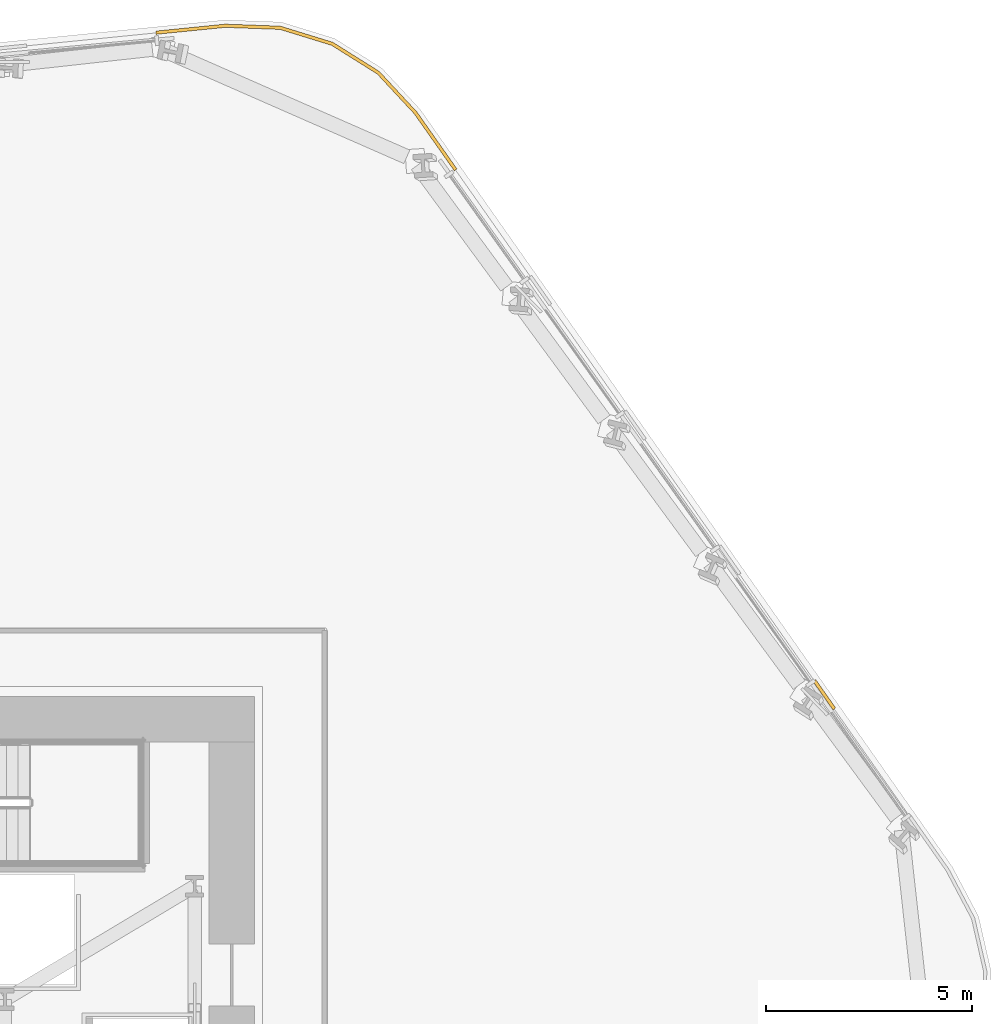
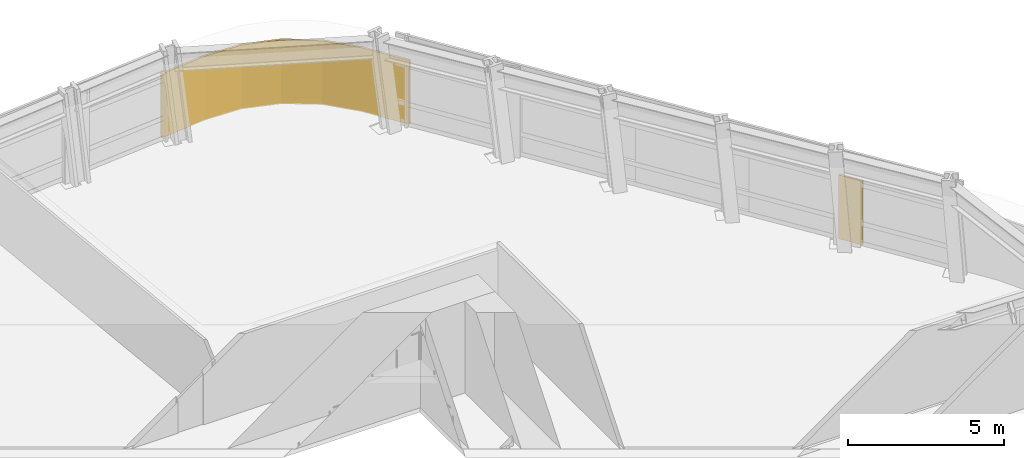
# One storey, part 15 of 16: 2 coverings.
"""IFC4 building model written with IfcOpenShell, lengths in metres."""

from ifc_helpers import new_model, si_unit, direction, frame, origin, place, context, subcontext, project, spatial, polyline, outline, extrude, material, layer, layer_set, type_object, element, save


model = new_model("IFC4")

# Units and contexts
model_context = context("Model", 3, precision=1e-05, world=origin(), true_north=direction((0.0, 1.0)))
body_context = subcontext(model_context, "Body", "Model", "MODEL_VIEW")
ifc_project = project(units=[si_unit("LENGTHUNIT", "METRE"), si_unit("AREAUNIT", "SQUARE_METRE"), si_unit("VOLUMEUNIT", "CUBIC_METRE"), si_unit("PLANEANGLEUNIT", "RADIAN"), si_unit("MASSUNIT", "GRAM", prefix="KILO")], contexts=[model_context])

# Site, building, storey
site_placement = place(None, origin())
site = spatial("IfcSite", under=ifc_project, at=site_placement, CompositionType="ELEMENT")
building_placement = place(site_placement, origin())
building = spatial("IfcBuilding", under=site, at=building_placement, Name="Valkerne Bourse Tower", CompositionType="ELEMENT")
storey_placement = place(building_placement, frame((0.0, 0.0, 46.800048828125)))
storey = spatial("IfcBuildingStorey", under=building, at=storey_placement, Name="L11", CompositionType="ELEMENT", Elevation=46.800048828125)

# Coverings
ifc_material = material(Name="Bronze Anodised Aluminium AA 6063-T6", Category="aluminium")
ifc_layer = layer(ifc_material, 0.06005859375)
ifc_layer_set = layer_set([ifc_layer], Name="Bronze Anodised Aluminium AA 6063-T6")
covering_type = type_object("IfcCoveringType", Name="COV-CRN-ALUM", PredefinedType="CLADDING", material=ifc_layer_set)
covering_1_placement = place(storey_placement, origin())
element("IfcCovering", 1, at=covering_1_placement, inside=storey, type_object=covering_type, Name="L11 Wind-Shaped Corner Aluminium Cladding 21", PredefinedType="CLADDING", context=body_context, shape_type="SweptSolid", body=[
    extrude(outline(polyline([(55.695068359375, 52.56689453125), (57.031494140625, 52.517822265625), (58.3037109375, 52.12646484375), (59.431396484375, 51.419189453125), (60.341796875, 50.439208984375), (61.314208984375, 49.055419921875), (61.2490234375, 49.0087890625), (60.279541015625, 50.388916015625), (59.3798828125, 51.35693359375), (58.270263671875, 52.052978515625), (57.01806640625, 52.438232421875), (55.697509765625, 52.48681640625), (54.019287109375, 52.319091796875), (54.01171875, 52.398681640625), (55.695068359375, 52.56689453125)])), origin(), (0.0, 0.0, 1.0), 2.5),
])
covering_2_placement = place(storey_placement, origin())
element("IfcCovering", 2, at=covering_2_placement, inside=storey, type_object=covering_type, Name="L11 Wind-Shaped Corner Aluminium Cladding 25", PredefinedType="CLADDING", context=body_context, shape_type="SweptSolid", body=[
    extrude(outline(polyline([(70.503173828125, 35.976318359375), (70.43798828125, 35.929931640625), (69.955078125, 36.6171875), (70.020263671875, 36.66357421875), (70.503173828125, 35.976318359375)])), origin(), (0.0, 0.0, 1.0), 2.5),
])

save(model, "model.ifc")
